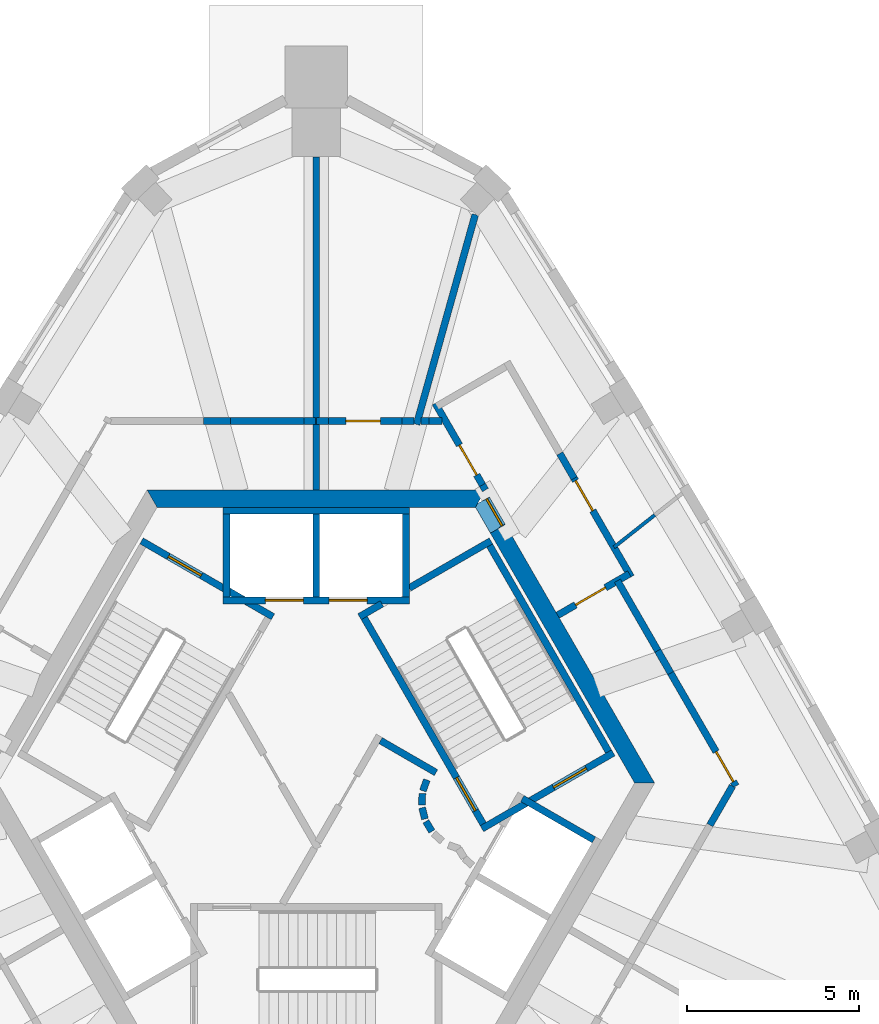
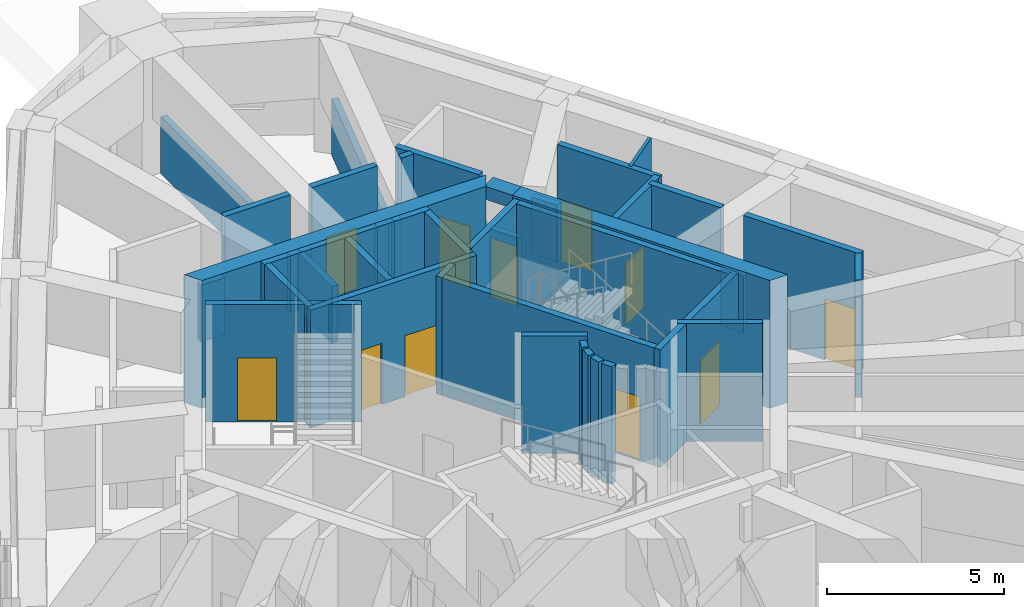
# One storey, part 5 of 8: 42 walls, 11 doors, 11 openings.
"""IFC4 building model written with IfcOpenShell, lengths in metres."""

from ifc_helpers import new_model, si_unit, direction, frame, frame_2d, origin, place, context, subcontext, project, spatial, polyline, rectangle, outline, extrude, material, layer, layer_set, type_object, element, fill, save


model = new_model("IFC4")

# Units and contexts
model_context = context("Model", 3, precision=1e-05, world=origin(), true_north=direction((0.0, 1.0)))
body_context = subcontext(model_context, "Body", "Model", "MODEL_VIEW")
ifc_project = project(units=[si_unit("LENGTHUNIT", "METRE"), si_unit("AREAUNIT", "SQUARE_METRE"), si_unit("VOLUMEUNIT", "CUBIC_METRE"), si_unit("PLANEANGLEUNIT", "RADIAN"), si_unit("MASSUNIT", "GRAM", prefix="KILO")], contexts=[model_context])

# Site, building, storey
site_placement = place(None, origin())
site = spatial("IfcSite", under=ifc_project, at=site_placement, CompositionType="ELEMENT")
building_placement = place(site_placement, origin())
building = spatial("IfcBuilding", under=site, at=building_placement, Name="Entoto Arch Interchange Tower", CompositionType="ELEMENT")
storey_placement = place(building_placement, frame((0.0, 0.0, 344.89990234375)))
storey = spatial("IfcBuildingStorey", under=building, at=storey_placement, Name="L81", CompositionType="ELEMENT", Elevation=344.89990234375)

# Wall, opening, door
ifc_material_1 = material(Name="Reinforced concrete C40/50", Category="concrete")
ifc_layer_1 = layer(ifc_material_1, 0.199951171875)
ifc_layer_set_1 = layer_set([ifc_layer_1], Name="Reinforced concrete C40/50")
wall_type_1 = type_object("IfcWallType", Name="CORE GAP INFILL WALL", PredefinedType="PARTITIONING", material=ifc_layer_set_1)
wall_1_placement = place(storey_placement, frame((5.39892578125, 9.947998046875, 0.0), z_axis=(0.0, 0.0, 1.0), x_axis=(-0.499882215713, 0.866093395895, 0.0)))
wall_1 = element("IfcWall", 1, at=wall_1_placement, inside=storey, type_object=wall_type_1, Name="wall:L81:gap2", PredefinedType="PARTITIONING", context=body_context, shape_type="SweptSolid", body=[
    extrude(rectangle(XDim=0.926025390625, YDim=0.199951171875, at=frame_2d((0.462890625, 0.0))), origin(), (0.0, 0.0, 1.0), 2.400146484375),
])
opening_1_placement = place(wall_1_placement, frame((0.01708984375, 0.0, 0.0)))
opening_1 = element("IfcOpeningElement", 2, at=opening_1_placement, cuts=wall_1, Name="Opening L81-D92", PredefinedType="OPENING", context=body_context, shape_type="SweptSolid", body=[
    extrude(rectangle(XDim=0.89990234375, YDim=2.10009765625, at=frame_2d((0.449951171875, 1.050048828125))), frame((0.0, 0.10986328125, 0.0), z_axis=(0.0, -1.0, 0.0), x_axis=(1.0, 0.0, 0.0)), (0.0, 0.0, 1.0), 0.219970703125),
])
ifc_material_2 = material(Name="Fire-rated Steel S235 door and frame", Category="steel")
door_type_1 = type_object("IfcDoorType", Name="DOOR FD-09 900x2100", OperationType="SINGLE_SWING_LEFT", PredefinedType="DOOR", material=ifc_material_2)
door_1_placement = place(opening_1_placement, origin())
door_1 = element("IfcDoor", 3, at=door_1_placement, inside=storey, type_object=door_type_1, Name="door:L81:gap2", OperationType="SINGLE_SWING_LEFT", OverallHeight=2.10009765625, OverallWidth=0.89990234375, PredefinedType="DOOR", context=body_context, shape_type="SweptSolid", body=[
    extrude(rectangle(XDim=0.89990234375, YDim=2.10009765625, at=frame_2d((0.449951171875, 1.050048828125))), frame((0.0, 0.02490234375, 0.0), z_axis=(0.0, -1.0, 0.0), x_axis=(1.0, 0.0, 0.0)), (0.0, 0.0, 1.0), 0.050048828125),
])
fill(opening_1, door_1)

# Walls
ifc_material_3 = material(Name="Concrete C40/50", Category="concrete")
ifc_layer_2 = layer(ifc_material_3, 0.5)
ifc_layer_set_2 = layer_set([ifc_layer_2], Name="Concrete C40/50")
wall_type_2 = type_object("IfcWallType", Name="Core wall 500 C40/50", PredefinedType="SHEAR", material=ifc_layer_set_2)
wall_2_placement = place(storey_placement, frame((0.0, 0.0, -0.349853515625)))
element("IfcWall", 4, at=wall_2_placement, inside=storey, type_object=wall_type_2, Name="Core wall NE L81", PredefinedType="SHEAR", context=body_context, shape_type="SweptSolid", body=[
    extrude(outline(polyline([(5.486083984375, 9.998046875), (5.052978515625, 9.748046875), (9.238037109375, 2.5), (9.81494140625, 2.5), (5.486083984375, 9.998046875)])), origin(), (0.0, 0.0, 1.0), 4.39990234375),
])
wall_3_placement = place(storey_placement, frame((0.0, 0.0, 3.60009765625)))
element("IfcWall", 5, at=wall_3_placement, inside=storey, type_object=wall_type_2, Name="Core wall lintel NE L81", PredefinedType="SHEAR", context=body_context, shape_type="SweptSolid", body=[
    extrude(outline(polyline([(5.02197265625, 10.800048828125), (4.677001953125, 10.60107421875), (4.618896484375, 10.5), (5.052978515625, 9.748046875), (5.486083984375, 9.998046875), (5.02197265625, 10.800048828125)])), origin(), (0.0, 0.0, 1.0), 0.449951171875),
])
wall_4_placement = place(storey_placement, frame((0.0, 0.0, -0.349853515625)))
element("IfcWall", 6, at=wall_4_placement, inside=storey, type_object=wall_type_2, Name="Core wall N L81", PredefinedType="SHEAR", context=body_context, shape_type="SweptSolid", body=[
    extrude(outline(polyline([(4.906982421875, 11.0), (-4.906982421875, 11.0), (-4.618896484375, 10.5), (4.618896484375, 10.5), (4.906982421875, 11.0)])), origin(), (0.0, 0.0, 1.0), 4.39990234375),
])

# Wall, openings, doors
ifc_layer_3 = layer(ifc_material_3, 0.199951171875)
ifc_layer_set_3 = layer_set([ifc_layer_3], Name="Concrete C40/50")
wall_type_3 = type_object("IfcWallType", Name="LIFT SHAFT WALL 200", PredefinedType="STANDARD", material=ifc_layer_set_3)
wall_5_placement = place(storey_placement, frame((2.699951171875, 7.800048828125, 0.0), z_axis=(0.0, 0.0, 1.0), x_axis=(-1.0, 0.0, 0.0)))
wall_5 = element("IfcWall", 7, at=wall_5_placement, inside=storey, type_object=wall_type_3, Name="Shaft wall N1 front", PredefinedType="STANDARD", context=body_context, shape_type="SweptSolid", body=[
    extrude(rectangle(XDim=5.39990234375, YDim=0.199951171875, at=frame_2d((2.699951171875, 0.0))), origin(), (0.0, 0.0, 1.0), 4.050048828125),
])
opening_2_placement = place(wall_5_placement, frame((1.22509765625, 0.0, 0.0)))
opening_2 = element("IfcOpeningElement", 8, at=opening_2_placement, cuts=wall_5, Name="Opening LD-HR1-L81", PredefinedType="OPENING", context=body_context, shape_type="SweptSolid", body=[
    extrude(rectangle(XDim=1.10009765625, YDim=2.10009765625, at=frame_2d((0.550048828125, 1.050048828125))), frame((0.0, 0.10986328125, 0.0), z_axis=(0.0, -1.0, 0.0), x_axis=(1.0, 0.0, 0.0)), (0.0, 0.0, 1.0), 0.219970703125),
])
opening_3_placement = place(wall_5_placement, frame((3.074951171875, 0.0, 0.0)))
opening_3 = element("IfcOpeningElement", 9, at=opening_3_placement, cuts=wall_5, Name="Opening LD-HR2-L81", PredefinedType="OPENING", context=body_context, shape_type="SweptSolid", body=[
    extrude(rectangle(XDim=1.10009765625, YDim=2.10009765625, at=frame_2d((0.550048828125, 1.050048828125))), frame((0.0, 0.10986328125, 0.0), z_axis=(0.0, -1.0, 0.0), x_axis=(1.0, 0.0, 0.0)), (0.0, 0.0, 1.0), 0.219970703125),
])
ifc_material_4 = material(Name="Stainless steel 1.4301 panels", Category="steel")
door_type_2 = type_object("IfcDoorType", Name="LIFT LANDING DOOR LD1 1100x2100", OperationType="SLIDING_TO_LEFT", PredefinedType="DOOR", material=ifc_material_4)
door_2_placement = place(opening_2_placement, origin())
door_2 = element("IfcDoor", 10, at=door_2_placement, inside=storey, type_object=door_type_2, Name="Lift landing door HR1 L81", OperationType="SLIDING_TO_LEFT", OverallHeight=2.10009765625, OverallWidth=1.10009765625, PredefinedType="DOOR", context=body_context, shape_type="SweptSolid", body=[
    extrude(rectangle(XDim=1.10009765625, YDim=2.10009765625, at=frame_2d((0.550048828125, 1.050048828125))), frame((0.0, 0.02490234375, 0.0), z_axis=(0.0, -1.0, 0.0), x_axis=(1.0, 0.0, 0.0)), (0.0, 0.0, 1.0), 0.050048828125),
])
fill(opening_2, door_2)
door_3_placement = place(opening_3_placement, origin())
door_3 = element("IfcDoor", 11, at=door_3_placement, inside=storey, type_object=door_type_2, Name="Lift landing door HR2 L81", OperationType="SLIDING_TO_LEFT", OverallHeight=2.10009765625, OverallWidth=1.10009765625, PredefinedType="DOOR", context=body_context, shape_type="SweptSolid", body=[
    extrude(rectangle(XDim=1.10009765625, YDim=2.10009765625, at=frame_2d((0.550048828125, 1.050048828125))), frame((0.0, 0.02490234375, 0.0), z_axis=(0.0, -1.0, 0.0), x_axis=(1.0, 0.0, 0.0)), (0.0, 0.0, 1.0), 0.050048828125),
])
fill(opening_3, door_3)

# Walls
wall_6_placement = place(storey_placement, frame((2.699951171875, 10.39990234375, 0.0), z_axis=(0.0, 0.0, 1.0), x_axis=(-1.0, 0.0, 0.0)))
element("IfcWall", 12, at=wall_6_placement, inside=storey, type_object=wall_type_3, Name="Shaft wall N1 back", PredefinedType="STANDARD", context=body_context, shape_type="SweptSolid", body=[
    extrude(rectangle(XDim=5.39990234375, YDim=0.199951171875, at=frame_2d((2.699951171875, 0.0))), origin(), (0.0, 0.0, 1.0), 4.050048828125),
])
for number, where, z_axis, x_axis, name in (
    (13, (2.60009765625, 7.89990234375, 0.0), (0.0, 0.0, 1.0), (0.0, 1.0, 0.0), "Shaft wall N1 cross 1"),
    (14, (0.0, 7.89990234375, 0.0), (0.0, 0.0, 1.0), (0.0, 1.0, 0.0), "Shaft wall N1 cross 2"),
    (15, (-2.60009765625, 7.89990234375, 0.0), (0.0, 0.0, 1.0), (0.0, 1.0, 0.0), "Shaft wall N1 cross 3"),
):
    element("IfcWall", number, at=place(storey_placement, frame(where, z_axis=z_axis, x_axis=x_axis)), inside=storey, type_object=wall_type_3, Name=name, PredefinedType="STANDARD", context=body_context, shape_type="SweptSolid", body=[
        extrude(rectangle(XDim=2.400146484375, YDim=0.199951171875, at=frame_2d((1.2001953125, 0.0))), origin(), (0.0, 0.0, 1.0), 4.050048828125),
    ])
wall_7_placement = place(storey_placement, frame((5.97705078125, 2.052001953125, 0.0), z_axis=(0.0, 0.0, 1.0), x_axis=(0.865973769406, -0.500089422704, 0.0)))
element("IfcWall", 16, at=wall_7_placement, inside=storey, type_object=wall_type_3, Name="Shaft wall SE1 cross 3", PredefinedType="STANDARD", context=body_context, shape_type="SweptSolid", body=[
    extrude(rectangle(XDim=2.3994140625, YDim=0.199951171875, at=frame_2d((1.19970703125, 0.0))), origin(), (0.0, 0.0, 1.0), 4.050048828125),
])
ifc_material_5 = material(Name="Gypsum board partition on steel studs", Category="steel")
ifc_layer_4 = layer(ifc_material_5, 0.10009765625)
ifc_layer_set_4 = layer_set([ifc_layer_4], Name="Gypsum board partition on steel studs")
wall_type_4 = type_object("IfcWallType", Name="PARTITION 100", PredefinedType="PARTITIONING", material=ifc_layer_set_4)
wall_8_placement = place(storey_placement, frame((9.821044921875, 10.27587890625, 0.0), z_axis=(0.0, 0.0, 1.0), x_axis=(-0.784249073328, -0.620446122548, 0.0)))
element("IfcWall", 17, at=wall_8_placement, inside=storey, type_object=wall_type_4, Name="wall:L81:p036", PredefinedType="PARTITIONING", context=body_context, shape_type="SweptSolid", body=[
    extrude(rectangle(XDim=1.509765625, YDim=0.10009765625, at=frame_2d((0.7548828125, 0.0))), origin(), (0.0, 0.0, 1.0), 4.050048828125),
])
ifc_layer_5 = layer(ifc_material_5, 0.199951171875)
ifc_layer_set_5 = layer_set([ifc_layer_5], Name="Gypsum board partition on steel studs")
wall_type_5 = type_object("IfcWallType", Name="PARTITION 200", PredefinedType="PARTITIONING", material=ifc_layer_set_5)
wall_9_placement = place(storey_placement, frame((1.865966796875, 3.73193359375, 0.0), z_axis=(0.0, 0.0, 1.0), x_axis=(0.866043361281, -0.499968895414, 0.0)))
element("IfcWall", 18, at=wall_9_placement, inside=storey, type_object=wall_type_5, Name="wall:L81:p002", PredefinedType="PARTITIONING", context=body_context, shape_type="SweptSolid", body=[
    extrude(rectangle(XDim=1.85791015625, YDim=0.199951171875, at=frame_2d((0.928955078125, 0.0))), origin(), (0.0, 0.0, 1.0), 4.050048828125),
])
wall_10_placement = place(storey_placement, frame((3.2080078125, 2.592041015625, 0.0), z_axis=(0.0, 0.0, 1.0), x_axis=(-0.337388820924, -0.941365382578, 0.0)))
element("IfcWall", 19, at=wall_10_placement, inside=storey, type_object=wall_type_5, Name="wall:L81:p003", PredefinedType="PARTITIONING", context=body_context, shape_type="SweptSolid", body=[
    extrude(rectangle(XDim=0.337890625, YDim=0.199951171875, at=frame_2d((0.1689453125, 0.0))), origin(), (0.0, 0.0, 1.0), 4.050048828125),
])
wall_11_placement = place(storey_placement, frame((3.0791015625, 2.198974609375, 0.0), z_axis=(0.0, 0.0, 1.0), x_axis=(-0.047771483479, -0.998858290933, 0.0)))
element("IfcWall", 20, at=wall_11_placement, inside=storey, type_object=wall_type_5, Name="wall:L81:p004", PredefinedType="PARTITIONING", context=body_context, shape_type="SweptSolid", body=[
    extrude(rectangle(XDim=0.33740234375, YDim=0.199951171875, at=frame_2d((0.168701171875, 0.0))), origin(), (0.0, 0.0, 1.0), 4.050048828125),
])
wall_12_placement = place(storey_placement, frame((3.070068359375, 1.785888671875, 0.0), z_axis=(0.0, 0.0, 1.0), x_axis=(0.242705583207, -0.970099994784, 0.0)))
element("IfcWall", 21, at=wall_12_placement, inside=storey, type_object=wall_type_5, Name="wall:L81:p005", PredefinedType="PARTITIONING", context=body_context, shape_type="SweptSolid", body=[
    extrude(rectangle(XDim=0.337890625, YDim=0.199951171875, at=frame_2d((0.1689453125, 0.0))), origin(), (0.0, 0.0, 1.0), 4.050048828125),
])
wall_13_placement = place(storey_placement, frame((3.181884765625, 1.387939453125, 0.0), z_axis=(0.0, 0.0, 1.0), x_axis=(0.512474702713, -0.85870232274, 0.0)))
element("IfcWall", 22, at=wall_13_placement, inside=storey, type_object=wall_type_5, Name="wall:L81:p006", PredefinedType="PARTITIONING", context=body_context, shape_type="SweptSolid", body=[
    extrude(rectangle(XDim=0.337646484375, YDim=0.199951171875, at=frame_2d((0.1689453125, 0.0))), origin(), (0.0, 0.0, 1.0), 4.050048828125),
])

# Wall, opening, door
wall_14_placement = place(storey_placement, frame((9.08203125, 8.568115234375, 0.0), z_axis=(0.0, 0.0, 1.0), x_axis=(-0.865955154139, -0.50012165622, 0.0)))
wall_14 = element("IfcWall", 23, at=wall_14_placement, inside=storey, type_object=wall_type_5, Name="wall:L81:p027", PredefinedType="PARTITIONING", context=body_context, shape_type="SweptSolid", body=[
    extrude(rectangle(XDim=2.39990234375, YDim=0.199951171875, at=frame_2d((1.199951171875, 0.0))), origin(), (0.0, 0.0, 1.0), 4.050048828125),
])
opening_4_placement = place(wall_14_placement, frame((0.800048828125, 0.0, 0.0)))
opening_4 = element("IfcOpeningElement", 24, at=opening_4_placement, cuts=wall_14, Name="Opening L81-D06", PredefinedType="OPENING", context=body_context, shape_type="SweptSolid", body=[
    extrude(rectangle(XDim=1.0, YDim=2.10009765625, at=frame_2d((0.5, 1.050048828125))), frame((0.0, 0.10986328125, 0.0), z_axis=(0.0, -1.0, 0.0), x_axis=(1.0, 0.0, 0.0)), (0.0, 0.0, 1.0), 0.219970703125),
])
door_type_3 = type_object("IfcDoorType", Name="DOOR FD-10 1000x2100", OperationType="SINGLE_SWING_LEFT", PredefinedType="DOOR", material=ifc_material_2)
door_4_placement = place(opening_4_placement, origin())
door_4 = element("IfcDoor", 25, at=door_4_placement, inside=storey, type_object=door_type_3, Name="door:L81:06", OperationType="SINGLE_SWING_LEFT", OverallHeight=2.10009765625, OverallWidth=1.0, PredefinedType="DOOR", context=body_context, shape_type="SweptSolid", body=[
    extrude(rectangle(XDim=1.0, YDim=2.10009765625, at=frame_2d((0.5, 1.050048828125))), frame((0.0, 0.02490234375, 0.0), z_axis=(0.0, -1.0, 0.0), x_axis=(1.0, 0.0, 0.0)), (0.0, 0.0, 1.0), 0.050048828125),
])
fill(opening_4, door_4)

# Walls
wall_15_placement = place(storey_placement, frame((4.906982421875, 11.0, 0.0), z_axis=(0.0, 0.0, 1.0), x_axis=(-0.5004692653, 0.865754303766, 0.0)))
element("IfcWall", 26, at=wall_15_placement, inside=storey, type_object=wall_type_5, Name="wall:L81:p028", PredefinedType="PARTITIONING", context=body_context, shape_type="SweptSolid", body=[
    extrude(rectangle(XDim=0.169677734375, YDim=0.199951171875, at=frame_2d((0.0849609375, 0.0))), origin(), (0.0, 0.0, 1.0), 2.400146484375),
])
wall_16_placement = place(storey_placement, frame((8.736083984375, 8.367919921875, 0.0), z_axis=(0.0, 0.0, 1.0), x_axis=(0.500041339179, -0.866001535283, 0.0)))
element("IfcWall", 27, at=wall_16_placement, inside=storey, type_object=wall_type_5, Name="wall:L81:p031", PredefinedType="PARTITIONING", context=body_context, shape_type="SweptSolid", body=[
    extrude(rectangle(XDim=2.341552734375, YDim=0.199951171875, at=frame_2d((1.1708984375, 0.0))), origin(), (0.0, 0.0, 1.0), 4.050048828125),
])
wall_17_placement = place(storey_placement, frame((12.073974609375, 2.4130859375, 0.0), z_axis=(0.0, 0.0, 1.0), x_axis=(-0.500255820348, -0.86587765545, 0.0)))
element("IfcWall", 28, at=wall_17_placement, inside=storey, type_object=wall_type_5, Name="wall:L81:p032", PredefinedType="PARTITIONING", context=body_context, shape_type="SweptSolid", body=[
    extrude(rectangle(XDim=1.307373046875, YDim=0.199951171875, at=frame_2d((0.65380859375, 0.0))), origin(), (0.0, 0.0, 1.0), 4.050048828125),
])
wall_18_placement = place(storey_placement, frame((3.0380859375, 13.0, 0.0), z_axis=(0.0, 0.0, 1.0), x_axis=(1.0, 0.0, 0.0)))
element("IfcWall", 29, at=wall_18_placement, inside=storey, type_object=wall_type_5, Name="wall:L81:p033", PredefinedType="PARTITIONING", context=body_context, shape_type="SweptSolid", body=[
    extrude(rectangle(XDim=0.22802734375, YDim=0.199951171875, at=frame_2d((0.114013671875, 0.0))), origin(), (0.0, 0.0, 1.0), 1.9501953125),
])
wall_19_placement = place(storey_placement, frame((0.014892578125, 13.0, 0.0), z_axis=(0.0, 0.0, 1.0), x_axis=(1.0, 0.0, 0.0)))
element("IfcWall", 30, at=wall_19_placement, inside=storey, type_object=wall_type_5, Name="wall:L81:p034", PredefinedType="PARTITIONING", context=body_context, shape_type="SweptSolid", body=[
    extrude(rectangle(XDim=0.335205078125, YDim=0.199951171875, at=frame_2d((0.16748046875, 0.0))), origin(), (0.0, 0.0, 1.0), 1.9501953125),
])
wall_20_placement = place(storey_placement, frame((0.0, 11.0, 0.0), z_axis=(0.0, 0.0, 1.0), x_axis=(0.0, 1.0, 0.0)))
element("IfcWall", 31, at=wall_20_placement, inside=storey, type_object=wall_type_5, Name="wall:L81:p035", PredefinedType="PARTITIONING", context=body_context, shape_type="SweptSolid", body=[
    extrude(rectangle(XDim=1.89990234375, YDim=0.199951171875, at=frame_2d((0.949951171875, 0.0))), origin(), (0.0, 0.0, 1.0), 1.9501953125),
])
wall_21_placement = place(storey_placement, frame((2.910888671875, 12.904052734375, 0.0), z_axis=(0.0, 0.0, 1.0), x_axis=(0.269389141698, 0.963031406723, 0.0)))
element("IfcWall", 32, at=wall_21_placement, inside=storey, type_object=wall_type_5, Name="wall:L81:p037", PredefinedType="PARTITIONING", context=body_context, shape_type="SweptSolid", body=[
    extrude(rectangle(XDim=6.318603515625, YDim=0.199951171875, at=frame_2d((3.1591796875, 0.0))), origin(), (0.0, 0.0, 1.0), 1.9501953125),
])
wall_22_placement = place(storey_placement, frame((0.0, 12.89990234375, 0.0), z_axis=(0.0, 0.0, 1.0), x_axis=(0.0, 1.0, 0.0)))
element("IfcWall", 33, at=wall_22_placement, inside=storey, type_object=wall_type_5, Name="wall:L81:p038", PredefinedType="PARTITIONING", context=body_context, shape_type="SweptSolid", body=[
    extrude(rectangle(XDim=7.756103515625, YDim=0.199951171875, at=frame_2d((3.8779296875, 0.0))), origin(), (0.0, 0.0, 1.0), 1.9501953125),
])

# Wall, opening, door
wall_23_placement = place(storey_placement, frame((4.822021484375, 11.14697265625, 0.0), z_axis=(0.0, 0.0, 1.0), x_axis=(-0.499871764879, 0.866099427708, 0.0)))
wall_23 = element("IfcWall", 34, at=wall_23_placement, inside=storey, type_object=wall_type_5, Name="wall:L81:p028", PredefinedType="PARTITIONING", context=body_context, shape_type="SweptSolid", body=[
    extrude(rectangle(XDim=2.736572265625, YDim=0.199951171875, at=frame_2d((1.3681640625, 0.0))), origin(), (0.0, 0.0, 1.0), 4.050048828125),
])
opening_5_placement = place(wall_23_placement, frame((0.3349609375, 0.0, 0.0)))
opening_5 = element("IfcOpeningElement", 35, at=opening_5_placement, cuts=wall_23, Name="Opening L81-D07", PredefinedType="OPENING", context=body_context, shape_type="SweptSolid", body=[
    extrude(rectangle(XDim=1.0, YDim=2.10009765625, at=frame_2d((0.5, 1.050048828125))), frame((0.0, 0.10986328125, 0.0), z_axis=(0.0, -1.0, 0.0), x_axis=(1.0, 0.0, 0.0)), (0.0, 0.0, 1.0), 0.219970703125),
])
door_5_placement = place(opening_5_placement, origin())
door_5 = element("IfcDoor", 36, at=door_5_placement, inside=storey, type_object=door_type_3, Name="door:L81:07", OperationType="SINGLE_SWING_RIGHT", OverallHeight=2.10009765625, OverallWidth=1.0, PredefinedType="DOOR", context=body_context, shape_type="SweptSolid", body=[
    extrude(rectangle(XDim=1.0, YDim=2.10009765625, at=frame_2d((0.5, 1.050048828125))), frame((0.0, 0.02490234375, 0.0), z_axis=(0.0, -1.0, 0.0), x_axis=(1.0, 0.0, 0.0)), (0.0, 0.0, 1.0), 0.050048828125),
])
fill(opening_5, door_5)

# Wall
wall_24_placement = place(storey_placement, frame((7.06591796875, 12.06103515625, 0.0), z_axis=(0.0, 0.0, 1.0), x_axis=(0.499291167461, -0.866434261843, 0.0)))
element("IfcWall", 37, at=wall_24_placement, inside=storey, type_object=wall_type_5, Name="wall:L81:p029", PredefinedType="PARTITIONING", context=body_context, shape_type="SweptSolid", body=[
    extrude(rectangle(XDim=0.833251953125, YDim=0.199951171875, at=frame_2d((0.41650390625, 0.0))), origin(), (0.0, 0.0, 1.0), 1.9501953125),
])

# Wall, opening, door
wall_25_placement = place(storey_placement, frame((7.48193359375, 11.339111328125, 0.0), z_axis=(0.0, 0.0, 1.0), x_axis=(0.49999780286, -0.8660266723, 0.0)))
wall_25 = element("IfcWall", 38, at=wall_25_placement, inside=storey, type_object=wall_type_5, Name="wall:L81:p029", PredefinedType="PARTITIONING", context=body_context, shape_type="SweptSolid", body=[
    extrude(rectangle(XDim=3.30029296875, YDim=0.199951171875, at=frame_2d((1.650146484375, 0.0))), origin(), (0.0, 0.0, 1.0), 4.050048828125),
])
opening_6_placement = place(wall_25_placement, frame((0.080078125, 0.0, 0.0)))
opening_6 = element("IfcOpeningElement", 39, at=opening_6_placement, cuts=wall_25, Name="Opening L81-D08", PredefinedType="OPENING", context=body_context, shape_type="SweptSolid", body=[
    extrude(rectangle(XDim=1.0, YDim=2.10009765625, at=frame_2d((0.5, 1.050048828125))), frame((0.0, 0.10986328125, 0.0), z_axis=(0.0, -1.0, 0.0), x_axis=(1.0, 0.0, 0.0)), (0.0, 0.0, 1.0), 0.219970703125),
])
door_6_placement = place(opening_6_placement, origin())
door_6 = element("IfcDoor", 40, at=door_6_placement, inside=storey, type_object=door_type_3, Name="door:L81:08", OperationType="SINGLE_SWING_LEFT", OverallHeight=2.10009765625, OverallWidth=1.0, PredefinedType="DOOR", context=body_context, shape_type="SweptSolid", body=[
    extrude(rectangle(XDim=1.0, YDim=2.10009765625, at=frame_2d((0.5, 1.050048828125))), frame((0.0, 0.02490234375, 0.0), z_axis=(0.0, -1.0, 0.0), x_axis=(1.0, 0.0, 0.0)), (0.0, 0.0, 1.0), 0.050048828125),
])
fill(opening_6, door_6)

# Wall
wall_26_placement = place(storey_placement, frame((9.906982421875, 6.340087890625, 0.0), z_axis=(0.0, 0.0, 1.0), x_axis=(0.499637970844, -0.866234320545, 0.0)))
element("IfcWall", 41, at=wall_26_placement, inside=storey, type_object=wall_type_5, Name="wall:L81:p031", PredefinedType="PARTITIONING", context=body_context, shape_type="SweptSolid", body=[
    extrude(rectangle(XDim=0.75048828125, YDim=0.199951171875, at=frame_2d((0.375244140625, 0.0))), origin(), (0.0, 0.0, 1.0), 1.9501953125),
])

# Wall, opening, door
wall_27_placement = place(storey_placement, frame((10.281982421875, 5.68994140625, 0.0), z_axis=(0.0, 0.0, 1.0), x_axis=(0.500038938992, -0.86600292118, 0.0)))
wall_27 = element("IfcWall", 42, at=wall_27_placement, inside=storey, type_object=wall_type_5, Name="wall:L81:p031", PredefinedType="PARTITIONING", context=body_context, shape_type="SweptSolid", body=[
    extrude(rectangle(XDim=3.783935546875, YDim=0.199951171875, at=frame_2d((1.89208984375, 0.0))), origin(), (0.0, 0.0, 1.0), 4.050048828125),
])
opening_7_placement = place(wall_27_placement, frame((2.634033203125, 0.0, 0.0)))
opening_7 = element("IfcOpeningElement", 43, at=opening_7_placement, cuts=wall_27, Name="Opening L81-D09", PredefinedType="OPENING", context=body_context, shape_type="SweptSolid", body=[
    extrude(rectangle(XDim=1.0, YDim=2.10009765625, at=frame_2d((0.5, 1.050048828125))), frame((0.0, 0.10986328125, 0.0), z_axis=(0.0, -1.0, 0.0), x_axis=(1.0, 0.0, 0.0)), (0.0, 0.0, 1.0), 0.219970703125),
])
ifc_material_6 = material(Name="Timber door leaf in Steel S235 frame", Category="steel")
door_type_4 = type_object("IfcDoorType", Name="DOOR DS-10 1000x2100", OperationType="SINGLE_SWING_LEFT", PredefinedType="DOOR", material=ifc_material_6)
door_7_placement = place(opening_7_placement, origin())
door_7 = element("IfcDoor", 44, at=door_7_placement, inside=storey, type_object=door_type_4, Name="door:L81:09", OperationType="SINGLE_SWING_RIGHT", OverallHeight=2.10009765625, OverallWidth=1.0, PredefinedType="DOOR", context=body_context, shape_type="SweptSolid", body=[
    extrude(rectangle(XDim=1.0, YDim=2.10009765625, at=frame_2d((0.5, 1.050048828125))), frame((0.0, 0.02490234375, 0.0), z_axis=(0.0, -1.0, 0.0), x_axis=(1.0, 0.0, 0.0)), (0.0, 0.0, 1.0), 0.050048828125),
])
fill(opening_7, door_7)

# Wall
wall_28_placement = place(storey_placement, frame((3.26611328125, 13.0, 0.0), z_axis=(0.0, 0.0, 1.0), x_axis=(1.0, 0.0, 0.0)))
element("IfcWall", 45, at=wall_28_placement, inside=storey, type_object=wall_type_5, Name="wall:L81:p033", PredefinedType="PARTITIONING", context=body_context, shape_type="SweptSolid", body=[
    extrude(rectangle(XDim=0.385986328125, YDim=0.199951171875, at=frame_2d((0.19287109375, 0.0))), origin(), (0.0, 0.0, 1.0), 4.050048828125),
])

# Wall, opening, door
wall_29_placement = place(storey_placement, frame((0.35009765625, 13.0, 0.0), z_axis=(0.0, 0.0, 1.0), x_axis=(1.0, 0.0, 0.0)))
wall_29 = element("IfcWall", 46, at=wall_29_placement, inside=storey, type_object=wall_type_5, Name="wall:L81:p034", PredefinedType="PARTITIONING", context=body_context, shape_type="SweptSolid", body=[
    extrude(rectangle(XDim=2.135986328125, YDim=0.199951171875, at=frame_2d((1.06787109375, 0.0))), origin(), (0.0, 0.0, 1.0), 4.050048828125),
])
opening_8_placement = place(wall_29_placement, frame((0.509033203125, 0.0, 0.0)))
opening_8 = element("IfcOpeningElement", 47, at=opening_8_placement, cuts=wall_29, Name="Opening L81-D10", PredefinedType="OPENING", context=body_context, shape_type="SweptSolid", body=[
    extrude(rectangle(XDim=1.0, YDim=2.10009765625, at=frame_2d((0.5, 1.050048828125))), frame((0.0, 0.10986328125, 0.0), z_axis=(0.0, -1.0, 0.0), x_axis=(1.0, 0.0, 0.0)), (0.0, 0.0, 1.0), 0.219970703125),
])
door_8_placement = place(opening_8_placement, origin())
door_8 = element("IfcDoor", 48, at=door_8_placement, inside=storey, type_object=door_type_4, Name="door:L81:10", OperationType="SINGLE_SWING_LEFT", OverallHeight=2.10009765625, OverallWidth=1.0, PredefinedType="DOOR", context=body_context, shape_type="SweptSolid", body=[
    extrude(rectangle(XDim=1.0, YDim=2.10009765625, at=frame_2d((0.5, 1.050048828125))), frame((0.0, 0.02490234375, 0.0), z_axis=(0.0, -1.0, 0.0), x_axis=(1.0, 0.0, 0.0)), (0.0, 0.0, 1.0), 0.050048828125),
])
fill(opening_8, door_8)

# Walls
wall_30_placement = place(storey_placement, frame((2.486083984375, 13.0, 0.0), z_axis=(0.0, 0.0, 1.0), x_axis=(1.0, 0.0, 0.0)))
element("IfcWall", 49, at=wall_30_placement, inside=storey, type_object=wall_type_5, Name="wall:L81:p034", PredefinedType="PARTITIONING", context=body_context, shape_type="SweptSolid", body=[
    extrude(rectangle(XDim=0.351806640625, YDim=0.199951171875, at=frame_2d((0.17578125, 0.0))), origin(), (0.0, 0.0, 1.0), 1.9501953125),
])
wall_31_placement = place(storey_placement, frame((-3.26611328125, 13.0, 0.0), z_axis=(0.0, 0.0, 1.0), x_axis=(1.0, 0.0, 0.0)))
element("IfcWall", 50, at=wall_31_placement, inside=storey, type_object=wall_type_5, Name="wall:L81:p046", PredefinedType="PARTITIONING", context=body_context, shape_type="SweptSolid", body=[
    extrude(rectangle(XDim=0.780029296875, YDim=0.199951171875, at=frame_2d((0.39013671875, 0.0))), origin(), (0.0, 0.0, 1.0), 1.9501953125),
])
wall_32_placement = place(storey_placement, frame((-2.486083984375, 13.0, 0.0), z_axis=(0.0, 0.0, 1.0), x_axis=(1.0, 0.0, 0.0)))
element("IfcWall", 51, at=wall_32_placement, inside=storey, type_object=wall_type_5, Name="wall:L81:p046", PredefinedType="PARTITIONING", context=body_context, shape_type="SweptSolid", body=[
    extrude(rectangle(XDim=2.135986328125, YDim=0.199951171875, at=frame_2d((1.06787109375, 0.0))), origin(), (0.0, 0.0, 1.0), 4.050048828125),
])
wall_33_placement = place(storey_placement, frame((-0.35009765625, 13.0, 0.0), z_axis=(0.0, 0.0, 1.0), x_axis=(1.0, 0.0, 0.0)))
element("IfcWall", 52, at=wall_33_placement, inside=storey, type_object=wall_type_5, Name="wall:L81:p046", PredefinedType="PARTITIONING", context=body_context, shape_type="SweptSolid", body=[
    extrude(rectangle(XDim=0.335205078125, YDim=0.199951171875, at=frame_2d((0.16748046875, 0.0))), origin(), (0.0, 0.0, 1.0), 1.9501953125),
])

# Wall, opening, door
ifc_layer_6 = layer(ifc_material_3, 0.199951171875)
ifc_layer_set_6 = layer_set([ifc_layer_6], Name="Concrete C40/50")
wall_type_6 = type_object("IfcWallType", Name="STAIR ENCLOSURE WALL 200", PredefinedType="STANDARD", material=ifc_layer_set_6)
wall_34_placement = place(storey_placement, frame((4.805908203125, 1.176025390625, 0.0), z_axis=(0.0, 0.0, 1.0), x_axis=(0.866059941101, 0.499940174841, 0.0)))
wall_34 = element("IfcWall", 53, at=wall_34_placement, inside=storey, type_object=wall_type_6, Name="Stair wall ST-NE near", PredefinedType="STANDARD", context=body_context, shape_type="SweptSolid", body=[
    extrude(rectangle(XDim=4.400390625, YDim=0.199951171875, at=frame_2d((2.2001953125, 0.0))), origin(), (0.0, 0.0, 1.0), 4.050048828125),
])
opening_9_placement = place(wall_34_placement, frame((2.39990234375, 0.0, 0.0)))
opening_9 = element("IfcOpeningElement", 54, at=opening_9_placement, cuts=wall_34, Name="Opening SD-ST-NE-L81-E", PredefinedType="OPENING", context=body_context, shape_type="SweptSolid", body=[
    extrude(rectangle(XDim=1.10009765625, YDim=2.199951171875, at=frame_2d((0.550048828125, 1.10009765625))), frame((0.0, 0.10986328125, 0.0), z_axis=(0.0, -1.0, 0.0), x_axis=(1.0, 0.0, 0.0)), (0.0, 0.0, 1.0), 0.219970703125),
])
ifc_material_7 = material(Name="Steel S235", Category="steel")
door_type_5 = type_object("IfcDoorType", Name="STAIR DOOR SD1 1100x2200", OperationType="SINGLE_SWING_LEFT", PredefinedType="DOOR", material=ifc_material_7)
door_9_placement = place(opening_9_placement, origin())
door_9 = element("IfcDoor", 55, at=door_9_placement, inside=storey, type_object=door_type_5, Name="Stair door ST-NE L81 end", OperationType="SINGLE_SWING_LEFT", OverallHeight=2.199951171875, OverallWidth=1.10009765625, PredefinedType="DOOR", context=body_context, shape_type="SweptSolid", body=[
    extrude(rectangle(XDim=1.10009765625, YDim=2.199951171875, at=frame_2d((0.550048828125, 1.10009765625))), frame((0.0, 0.02490234375, 0.0), z_axis=(0.0, -1.0, 0.0), x_axis=(1.0, 0.0, 0.0)), (0.0, 0.0, 1.0), 0.050048828125),
])
fill(opening_9, door_9)

# Walls
wall_35_placement = place(storey_placement, frame((2.699951171875, 8.157958984375, 0.0), z_axis=(0.0, 0.0, 1.0), x_axis=(0.86611865017, 0.499838457731, 0.0)))
element("IfcWall", 56, at=wall_35_placement, inside=storey, type_object=wall_type_6, Name="Stair wall ST-NE far", PredefinedType="STANDARD", context=body_context, shape_type="SweptSolid", body=[
    extrude(rectangle(XDim=2.73291015625, YDim=0.199951171875, at=frame_2d((1.366455078125, 0.0))), origin(), (0.0, 0.0, 1.0), 4.050048828125),
])
wall_36_placement = place(storey_placement, frame((1.256103515625, 7.323974609375, 0.0), z_axis=(0.0, 0.0, 1.0), x_axis=(0.865915093549, 0.500191014278, 0.0)))
element("IfcWall", 57, at=wall_36_placement, inside=storey, type_object=wall_type_6, Name="Stair wall ST-NE far return", PredefinedType="STANDARD", context=body_context, shape_type="SweptSolid", body=[
    extrude(rectangle(XDim=0.751708984375, YDim=0.199951171875, at=frame_2d((0.3759765625, 0.0))), origin(), (0.0, 0.0, 1.0), 4.050048828125),
])

# Wall, opening, door
wall_37_placement = place(storey_placement, frame((4.843017578125, 1.31201171875, 0.0), z_axis=(0.0, 0.0, 1.0), x_axis=(-0.499963383562, 0.866046543262, 0.0)))
wall_37 = element("IfcWall", 58, at=wall_37_placement, inside=storey, type_object=wall_type_6, Name="Stair wall ST-NE hall", PredefinedType="STANDARD", context=body_context, shape_type="SweptSolid", body=[
    extrude(rectangle(XDim=6.900390625, YDim=0.199951171875, at=frame_2d((3.4501953125, 0.0))), origin(), (0.0, 0.0, 1.0), 4.050048828125),
])
opening_10_placement = place(wall_37_placement, frame((0.449951171875, 0.0, 0.0)))
opening_10 = element("IfcOpeningElement", 59, at=opening_10_placement, cuts=wall_37, Name="Opening SD-ST-NE-L81", PredefinedType="OPENING", context=body_context, shape_type="SweptSolid", body=[
    extrude(rectangle(XDim=1.10009765625, YDim=2.199951171875, at=frame_2d((0.550048828125, 1.10009765625))), frame((0.0, 0.10986328125, 0.0), z_axis=(0.0, -1.0, 0.0), x_axis=(1.0, 0.0, 0.0)), (0.0, 0.0, 1.0), 0.219970703125),
])
door_10_placement = place(opening_10_placement, origin())
door_10 = element("IfcDoor", 60, at=door_10_placement, inside=storey, type_object=door_type_5, Name="Stair door ST-NE L81", OperationType="SINGLE_SWING_LEFT", OverallHeight=2.199951171875, OverallWidth=1.10009765625, PredefinedType="DOOR", context=body_context, shape_type="SweptSolid", body=[
    extrude(rectangle(XDim=1.10009765625, YDim=2.199951171875, at=frame_2d((0.550048828125, 1.10009765625))), frame((0.0, 0.02490234375, 0.0), z_axis=(0.0, -1.0, 0.0), x_axis=(1.0, 0.0, 0.0)), (0.0, 0.0, 1.0), 0.050048828125),
])
fill(opening_10, door_10)

# Wall
wall_38_placement = place(storey_placement, frame((8.47998046875, 3.412109375, 0.0), z_axis=(0.0, 0.0, 1.0), x_axis=(-0.499978703459, 0.866037698999, 0.0)))
element("IfcWall", 61, at=wall_38_placement, inside=storey, type_object=wall_type_6, Name="Stair wall ST-NE back", PredefinedType="STANDARD", context=body_context, shape_type="SweptSolid", body=[
    extrude(rectangle(XDim=6.900146484375, YDim=0.199951171875, at=frame_2d((3.4501953125, 0.0))), origin(), (0.0, 0.0, 1.0), 4.050048828125),
])

# Wall, opening, door
wall_39_placement = place(storey_placement, frame((-1.256103515625, 7.323974609375, 0.0), z_axis=(0.0, 0.0, 1.0), x_axis=(-0.866046073146, 0.499964197906, 0.0)))
wall_39 = element("IfcWall", 62, at=wall_39_placement, inside=storey, type_object=wall_type_6, Name="Stair wall ST-NW near", PredefinedType="STANDARD", context=body_context, shape_type="SweptSolid", body=[
    extrude(rectangle(XDim=4.400146484375, YDim=0.199951171875, at=frame_2d((2.2001953125, 0.0))), origin(), (0.0, 0.0, 1.0), 4.050048828125),
])
opening_11_placement = place(wall_39_placement, frame((2.39990234375, 0.0, 0.0)))
opening_11 = element("IfcOpeningElement", 63, at=opening_11_placement, cuts=wall_39, Name="Opening SD-ST-NW-L81-E", PredefinedType="OPENING", context=body_context, shape_type="SweptSolid", body=[
    extrude(rectangle(XDim=1.10009765625, YDim=2.199951171875, at=frame_2d((0.550048828125, 1.10009765625))), frame((0.0, 0.10986328125, 0.0), z_axis=(0.0, -1.0, 0.0), x_axis=(1.0, 0.0, 0.0)), (0.0, 0.0, 1.0), 0.219970703125),
])
door_11_placement = place(opening_11_placement, origin())
door_11 = element("IfcDoor", 64, at=door_11_placement, inside=storey, type_object=door_type_5, Name="Stair door ST-NW L81 end", OperationType="SINGLE_SWING_LEFT", OverallHeight=2.199951171875, OverallWidth=1.10009765625, PredefinedType="DOOR", context=body_context, shape_type="SweptSolid", body=[
    extrude(rectangle(XDim=1.10009765625, YDim=2.199951171875, at=frame_2d((0.550048828125, 1.10009765625))), frame((0.0, 0.02490234375, 0.0), z_axis=(0.0, -1.0, 0.0), x_axis=(1.0, 0.0, 0.0)), (0.0, 0.0, 1.0), 0.050048828125),
])
fill(opening_11, door_11)

save(model, "model.ifc")
